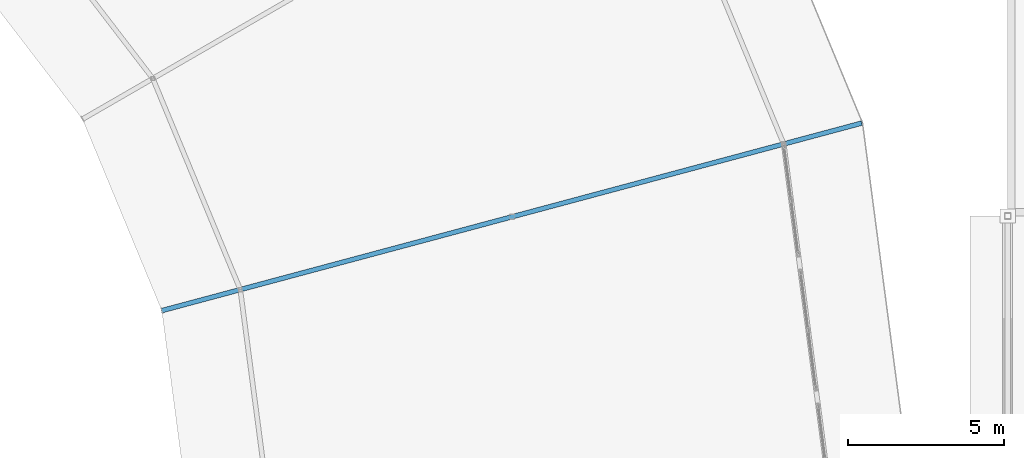
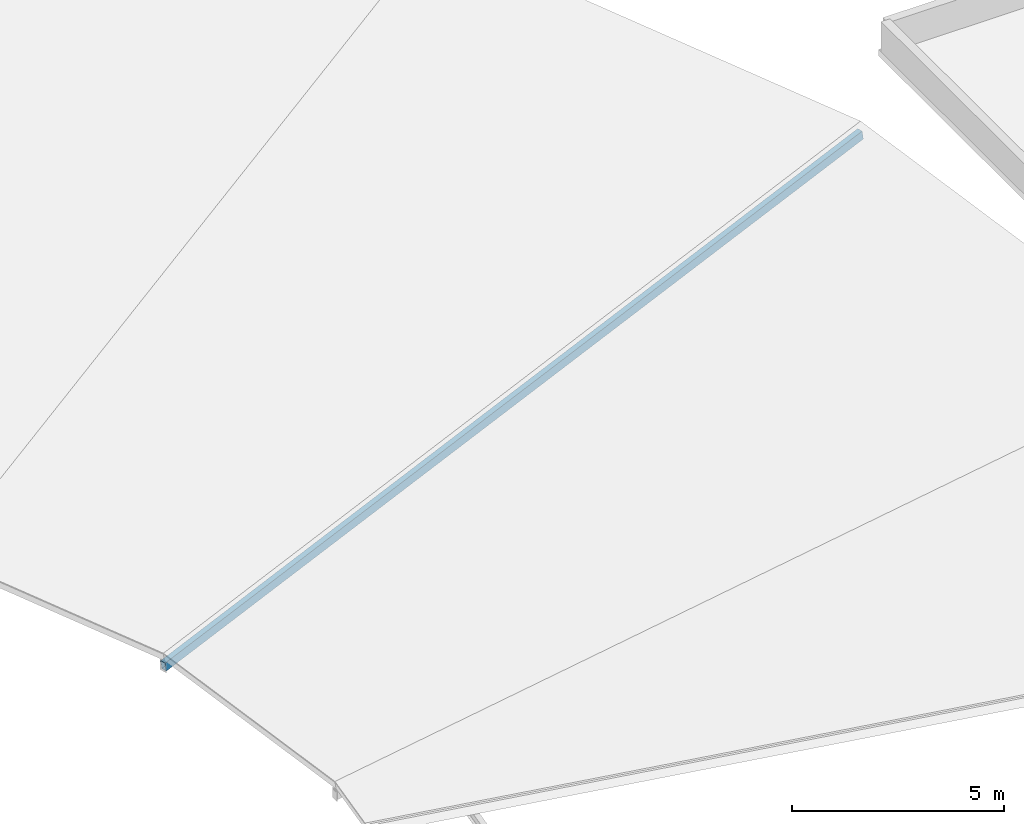
# One storey, part 117 of 200: 1 member.
"""IFC4 building model written with IfcOpenShell, lengths in metres."""

from ifc_helpers import new_model, si_unit, direction, frame, origin, origin_2d, place, context, subcontext, project, spatial, hollow_rectangle, extrude, material, material_profile, profile_set, type_object, element, save


model = new_model("IFC4")

# Units and contexts
model_context = context("Model", 3, precision=1e-05, world=origin(), true_north=direction((0.0, 1.0)))
body_context = subcontext(model_context, "Body", "Model", "MODEL_VIEW")
ifc_project = project(units=[si_unit("LENGTHUNIT", "METRE"), si_unit("AREAUNIT", "SQUARE_METRE"), si_unit("VOLUMEUNIT", "CUBIC_METRE"), si_unit("PLANEANGLEUNIT", "RADIAN"), si_unit("MASSUNIT", "GRAM", prefix="KILO")], contexts=[model_context])

# Site, building, storey
site_placement = place(None, origin())
site = spatial("IfcSite", under=ifc_project, at=site_placement, CompositionType="ELEMENT")
building_placement = place(site_placement, origin())
building = spatial("IfcBuilding", under=site, at=building_placement, Name="Vondelvale Polytechnic", CompositionType="ELEMENT")
storey_placement = place(building_placement, frame((0.0, 0.0, 13.800048828125)))
storey = spatial("IfcBuildingStorey", under=building, at=storey_placement, Name="L03", CompositionType="ELEMENT", Elevation=13.800048828125)

# Member
ifc_material = material(Name="Steel C350L0 (fy = 350 MPa)", Category="steel")
ifc_material_profile = material_profile(ifc_material, hollow_rectangle(XDim=0.14990234375, YDim=0.25, WallThickness=0.006103515625, at=origin_2d()), Name="250x150x6.0RHS")
ifc_profile_set = profile_set([ifc_material_profile], Name="Steel C350L0 (fy = 350 MPa)")
member_type = type_object("IfcMemberType", Name="RAFTER RHS250", PredefinedType="RAFTER", material=ifc_profile_set)
member_placement = place(storey_placement, frame((148.944091796875, 84.57861328125, 3.765625), z_axis=(-0.953223857145, -0.255414977301, -0.161639931762), x_axis=(0.258818491613, -0.965925974596, 0.0)))
element("IfcMember", 1, at=member_placement, inside=storey, type_object=member_type, Name="Ring inward-sloping rafter 01", PredefinedType="RAFTER", context=body_context, shape_type="SweptSolid", body=[
    extrude(hollow_rectangle(XDim=0.14990234375, YDim=0.25, WallThickness=0.006103515625, at=origin_2d()), origin(), (0.0, 0.0, 1.0), 23.50927734375),
])

save(model, "model.ifc")
